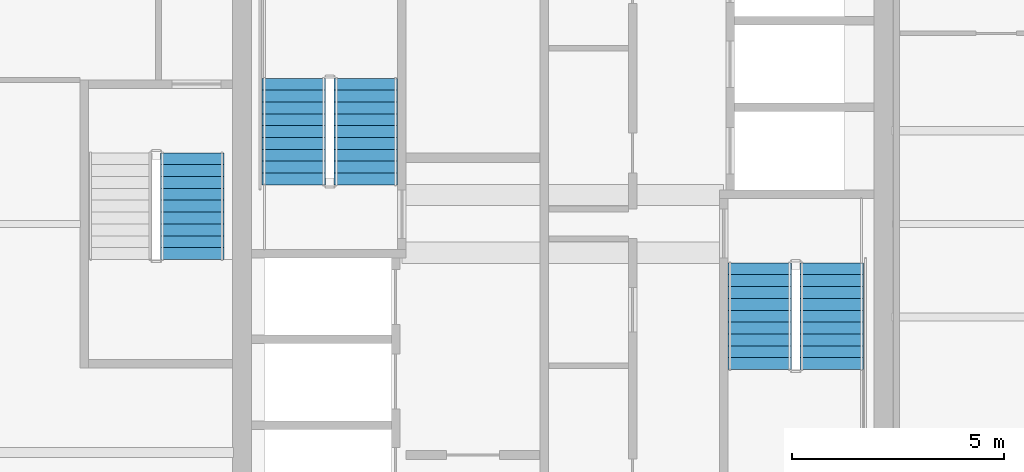
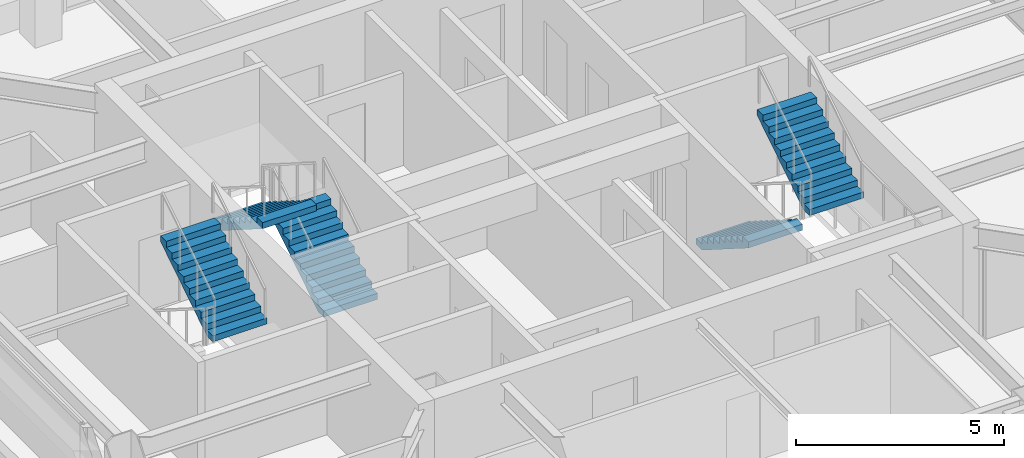
# One storey, part 27 of 31: 5 stair flights, 3 elements without a shape of their own.
"""IFC4 building model written with IfcOpenShell, lengths in metres."""

from ifc_helpers import new_model, si_unit, direction, frame, origin, place, context, subcontext, project, spatial, polyline, outline, extrude, material, type_object, element, aggregate, save


model = new_model("IFC4")

# Units and contexts
model_context = context("Model", 3, precision=1e-05, world=origin(), true_north=direction((0.0, 1.0)))
body_context = subcontext(model_context, "Body", "Model", "MODEL_VIEW")
ifc_project = project(units=[si_unit("LENGTHUNIT", "METRE"), si_unit("AREAUNIT", "SQUARE_METRE"), si_unit("VOLUMEUNIT", "CUBIC_METRE"), si_unit("PLANEANGLEUNIT", "RADIAN"), si_unit("MASSUNIT", "GRAM", prefix="KILO")], contexts=[model_context])

# Site, building, storey
site_placement = place(None, origin())
site = spatial("IfcSite", under=ifc_project, at=site_placement, CompositionType="ELEMENT")
building_placement = place(site_placement, origin())
building = spatial("IfcBuilding", under=site, at=building_placement, Name="Tashvorn Skyway Center", CompositionType="ELEMENT")
storey_placement = place(building_placement, frame((0.0, 0.0, 266.949951171875)))
storey = spatial("IfcBuildingStorey", under=building, at=storey_placement, Name="L72", CompositionType="ELEMENT", Elevation=266.949951171875)

# Stair, stair flights
ifc_material = material(Name="Concrete C40/50", Category="concrete")
stair_type = type_object("IfcStairType", Name="STAIR-CORE-1500", PredefinedType="HALF_TURN_STAIR", material=ifc_material)
stair_1_placement = place(storey_placement, origin())
stair_1 = element("IfcStair", 1, at=stair_1_placement, inside=storey, type_object=stair_type, Name="L72 Tower 1 Exit Stair 1", PredefinedType="HALF_TURN_STAIR")
stair_flight_type = type_object("IfcStairFlightType", Name="SFLIGHT-1500", PredefinedType="STRAIGHT", material=ifc_material)
stair_flight_1_placement = place(storey_placement, frame((37.35009765625, 32.919921875, 0.0), z_axis=(0.0, 0.0, 1.0), x_axis=(0.0, 1.0, 0.0)))
stair_flight_1 = element("IfcStairFlight", 2, at=stair_flight_1_placement, type_object=stair_flight_type, Name="ST-T1-1 flight 1", NumberOfRisers=10, NumberOfTreads=9, PredefinedType="STRAIGHT", RiserHeight=0.1775, TreadLength=0.28, context=body_context, shape_type="SweptSolid", body=[
    extrude(outline(polyline([(0.0, 0.0), (0.0, 0.177490234375), (0.280029296875, 0.177490234375), (0.280029296875, 0.35498046875), (0.56005859375, 0.35498046875), (0.56005859375, 0.532470703125), (0.840087890625, 0.532470703125), (0.840087890625, 0.7099609375), (1.1201171875, 0.7099609375), (1.1201171875, 0.887451171875), (1.39990234375, 0.887451171875), (1.39990234375, 1.06494140625), (1.679931640625, 1.06494140625), (1.679931640625, 1.242431640625), (1.9599609375, 1.242431640625), (1.9599609375, 1.419921875), (2.239990234375, 1.419921875), (2.239990234375, 1.597412109375), (2.52001953125, 1.597412109375), (2.52001953125, 1.77490234375), (2.52001953125, 1.419921875), (0.280029296875, 0.0), (0.0, 0.0)])), frame((0.0, 0.75, 0.0), z_axis=(0.0, -1.0, 0.0), x_axis=(1.0, 0.0, 0.0)), (0.0, 0.0, 1.0), 1.5),
])
stair_flight_2_placement = place(storey_placement, frame((35.64990234375, 35.43994140625, 1.775146484375), z_axis=(0.0, 0.0, 1.0), x_axis=(0.0, -1.0, 0.0)))
stair_flight_2 = element("IfcStairFlight", 3, at=stair_flight_2_placement, type_object=stair_flight_type, Name="ST-T1-1 flight 2", NumberOfRisers=10, NumberOfTreads=9, PredefinedType="STRAIGHT", RiserHeight=0.1775, TreadLength=0.28, context=body_context, shape_type="SweptSolid", body=[
    extrude(outline(polyline([(0.0, 0.0), (0.0, 0.177490234375), (0.280029296875, 0.177490234375), (0.280029296875, 0.35498046875), (0.56005859375, 0.35498046875), (0.56005859375, 0.532470703125), (0.840087890625, 0.532470703125), (0.840087890625, 0.7099609375), (1.1201171875, 0.7099609375), (1.1201171875, 0.887451171875), (1.39990234375, 0.887451171875), (1.39990234375, 1.06494140625), (1.679931640625, 1.06494140625), (1.679931640625, 1.242431640625), (1.9599609375, 1.242431640625), (1.9599609375, 1.419921875), (2.239990234375, 1.419921875), (2.239990234375, 1.597412109375), (2.52001953125, 1.597412109375), (2.52001953125, 1.77490234375), (2.52001953125, 1.419921875), (0.280029296875, 0.0), (0.0, 0.0)])), frame((0.0, 0.75, 0.0), z_axis=(0.0, -1.0, 0.0), x_axis=(1.0, 0.0, 0.0)), (0.0, 0.0, 1.0), 1.5),
])
aggregate(stair_1, [stair_flight_1, stair_flight_2])

stair_2_placement = place(storey_placement, origin())
stair_2 = element("IfcStair", 4, at=stair_2_placement, inside=storey, type_object=stair_type, Name="L72 Tower 1 Exit Stair 2", PredefinedType="HALF_TURN_STAIR")
stair_flight_3_placement = place(storey_placement, frame((46.64990234375, 31.080078125, 0.0), z_axis=(0.0, 0.0, 1.0), x_axis=(0.0, -1.0, 0.0)))
stair_flight_3 = element("IfcStairFlight", 5, at=stair_flight_3_placement, type_object=stair_flight_type, Name="ST-T1-2 flight 1", NumberOfRisers=10, NumberOfTreads=9, PredefinedType="STRAIGHT", RiserHeight=0.1775, TreadLength=0.28, context=body_context, shape_type="SweptSolid", body=[
    extrude(outline(polyline([(0.0, 0.0), (0.0, 0.177490234375), (0.280029296875, 0.177490234375), (0.280029296875, 0.35498046875), (0.56005859375, 0.35498046875), (0.56005859375, 0.532470703125), (0.840087890625, 0.532470703125), (0.840087890625, 0.7099609375), (1.1201171875, 0.7099609375), (1.1201171875, 0.887451171875), (1.39990234375, 0.887451171875), (1.39990234375, 1.06494140625), (1.679931640625, 1.06494140625), (1.679931640625, 1.242431640625), (1.9599609375, 1.242431640625), (1.9599609375, 1.419921875), (2.239990234375, 1.419921875), (2.239990234375, 1.597412109375), (2.52001953125, 1.597412109375), (2.52001953125, 1.77490234375), (2.52001953125, 1.419921875), (0.280029296875, 0.0), (0.0, 0.0)])), frame((0.0, 0.75, 0.0), z_axis=(0.0, -1.0, 0.0), x_axis=(1.0, 0.0, 0.0)), (0.0, 0.0, 1.0), 1.5),
])
stair_flight_4_placement = place(storey_placement, frame((48.35009765625, 28.56005859375, 1.775146484375), z_axis=(0.0, 0.0, 1.0), x_axis=(0.0, 1.0, 0.0)))
stair_flight_4 = element("IfcStairFlight", 6, at=stair_flight_4_placement, type_object=stair_flight_type, Name="ST-T1-2 flight 2", NumberOfRisers=10, NumberOfTreads=9, PredefinedType="STRAIGHT", RiserHeight=0.1775, TreadLength=0.28, context=body_context, shape_type="SweptSolid", body=[
    extrude(outline(polyline([(0.0, 0.0), (0.0, 0.177490234375), (0.280029296875, 0.177490234375), (0.280029296875, 0.35498046875), (0.56005859375, 0.35498046875), (0.56005859375, 0.532470703125), (0.840087890625, 0.532470703125), (0.840087890625, 0.7099609375), (1.1201171875, 0.7099609375), (1.1201171875, 0.887451171875), (1.39990234375, 0.887451171875), (1.39990234375, 1.06494140625), (1.679931640625, 1.06494140625), (1.679931640625, 1.242431640625), (1.9599609375, 1.242431640625), (1.9599609375, 1.419921875), (2.239990234375, 1.419921875), (2.239990234375, 1.597412109375), (2.52001953125, 1.597412109375), (2.52001953125, 1.77490234375), (2.52001953125, 1.419921875), (0.280029296875, 0.0), (0.0, 0.0)])), frame((0.0, 0.75, 0.0), z_axis=(0.0, -1.0, 0.0), x_axis=(1.0, 0.0, 0.0)), (0.0, 0.0, 1.0), 1.5),
])
aggregate(stair_2, [stair_flight_3, stair_flight_4])

# Stair, stair flight
stair_3_placement = place(storey_placement, origin())
stair_3 = element("IfcStair", 7, at=stair_3_placement, inside=storey, type_object=stair_type, Name="L72 Tower 1 Exit Stair 3", PredefinedType="HALF_TURN_STAIR")
stair_flight_5_placement = place(storey_placement, frame((33.25, 31.159912109375, 1.775146484375), z_axis=(0.0, 0.0, 1.0), x_axis=(0.0, 1.0, 0.0)))
stair_flight_5 = element("IfcStairFlight", 8, at=stair_flight_5_placement, type_object=stair_flight_type, Name="ST-T1-3 flight 2", NumberOfRisers=10, NumberOfTreads=9, PredefinedType="STRAIGHT", RiserHeight=0.1775, TreadLength=0.28, context=body_context, shape_type="SweptSolid", body=[
    extrude(outline(polyline([(0.0, 0.0), (0.0, 0.177490234375), (0.280029296875, 0.177490234375), (0.280029296875, 0.35498046875), (0.56005859375, 0.35498046875), (0.56005859375, 0.532470703125), (0.840087890625, 0.532470703125), (0.840087890625, 0.7099609375), (1.1201171875, 0.7099609375), (1.1201171875, 0.887451171875), (1.39990234375, 0.887451171875), (1.39990234375, 1.06494140625), (1.679931640625, 1.06494140625), (1.679931640625, 1.242431640625), (1.9599609375, 1.242431640625), (1.9599609375, 1.419921875), (2.239990234375, 1.419921875), (2.239990234375, 1.597412109375), (2.52001953125, 1.597412109375), (2.52001953125, 1.77490234375), (2.52001953125, 1.419921875), (0.280029296875, 0.0), (0.0, 0.0)])), frame((0.0, 0.75, 0.0), z_axis=(0.0, -1.0, 0.0), x_axis=(1.0, 0.0, 0.0)), (0.0, 0.0, 1.0), 1.5),
])
aggregate(stair_3, [stair_flight_5])

save(model, "model.ifc")
